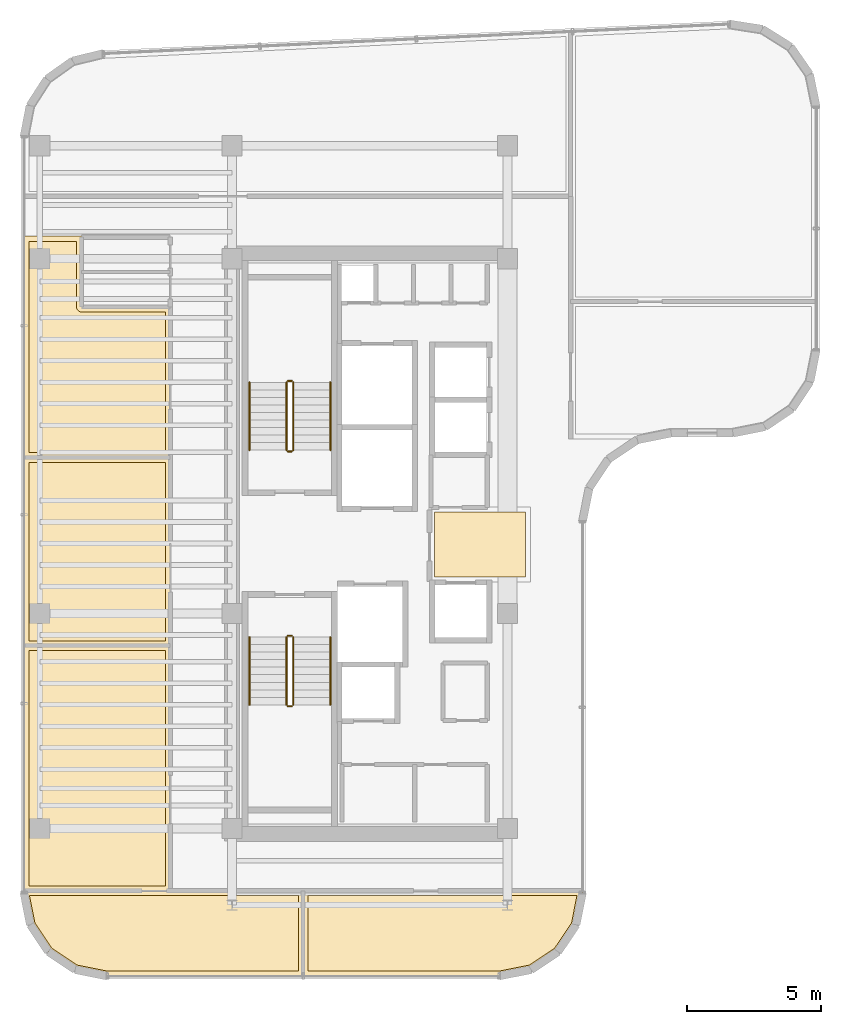
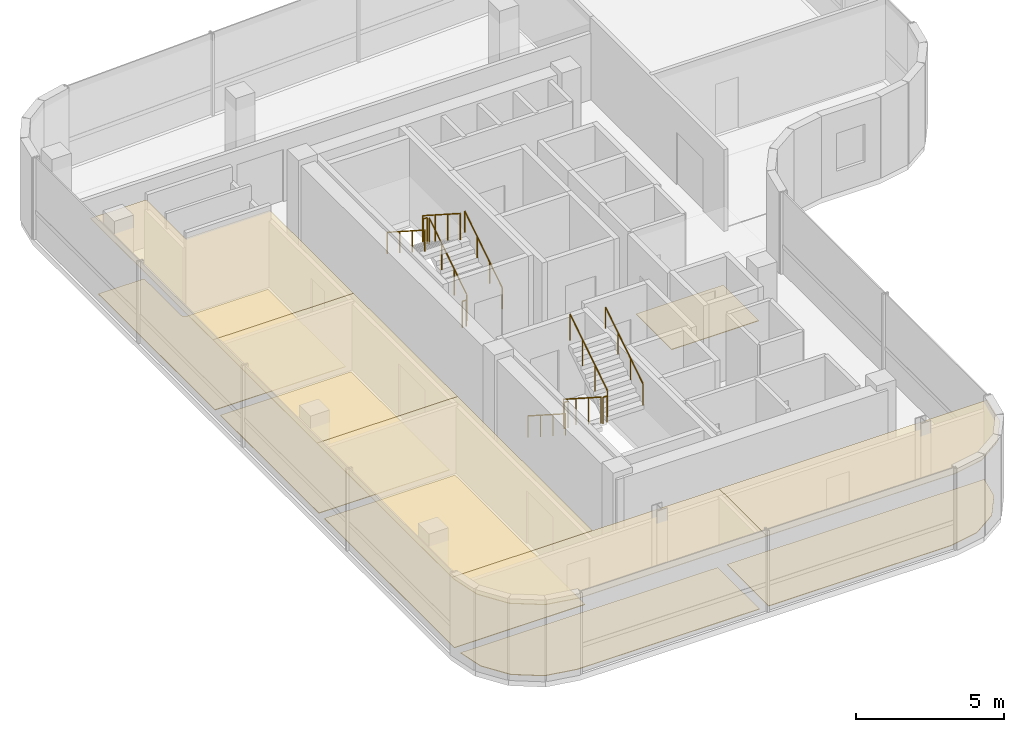
# One storey, part 16 of 17: 12 railings, 11 coverings.
"""IFC4 building model written with IfcOpenShell, lengths in metres."""

from ifc_helpers import new_model, si_unit, direction, frame, origin, origin_2d, place, context, subcontext, project, spatial, polyline, circle, outline, extrude, material, layer, layer_set, type_object, element, save


model = new_model("IFC4")

# Units and contexts
model_context = context("Model", 3, precision=1e-05, world=origin(), true_north=direction((0.0, 1.0)))
body_context = subcontext(model_context, "Body", "Model", "MODEL_VIEW")
ifc_project = project(units=[si_unit("LENGTHUNIT", "METRE"), si_unit("AREAUNIT", "SQUARE_METRE"), si_unit("VOLUMEUNIT", "CUBIC_METRE"), si_unit("PLANEANGLEUNIT", "RADIAN"), si_unit("MASSUNIT", "GRAM", prefix="KILO")], contexts=[model_context])

# Site, building, storey
site_placement = place(None, origin())
site = spatial("IfcSite", under=ifc_project, at=site_placement, CompositionType="ELEMENT")
building_placement = place(site_placement, origin())
building = spatial("IfcBuilding", under=site, at=building_placement, Name="Valdorenza Pilgrim Sanctuary Tower", CompositionType="ELEMENT")
storey_placement = place(building_placement, frame((0.0, 0.0, 287.0)))
storey = spatial("IfcBuildingStorey", under=building, at=storey_placement, Name="L75", CompositionType="ELEMENT", Elevation=287.0)

# Coverings
ifc_material_1 = material(Name="Micro-perforated acoustic mineral ceiling tile", Category="gypsum")
ifc_layer_1 = layer(ifc_material_1, 0.02490234375, Name="Micro-perforated acoustic mineral ceiling tile")
ifc_layer_set_1 = layer_set([ifc_layer_1], Name="Micro-perforated acoustic mineral ceiling tile")
covering_type_1 = type_object("IfcCoveringType", Name="COV-CLG-ACU", PredefinedType="CEILING", material=ifc_layer_set_1)
covering_1_placement = place(storey_placement, frame((0.0, 0.0, 3.06005859375)))
element("IfcCovering", 1, at=covering_1_placement, inside=storey, type_object=covering_type_1, Name="L75 Sacred Art Exhibition Gallery Acoustic Ceiling", PredefinedType="CEILING", context=body_context, shape_type="SweptSolid", body=[
    extrude(outline(polyline([(-24.93505859375, -12.919921875), (-24.93505859375, -12.92138671875), (-24.935302734375, -12.9228515625), (-24.935546875, -12.92431640625), (-24.93603515625, -12.92578125), (-24.936767578125, -12.927001953125), (-24.9375, -12.92822265625), (-24.9384765625, -12.929443359375), (-24.939453125, -12.9306640625), (-24.9404296875, -12.931640625), (-24.941650390625, -12.9326171875), (-24.94287109375, -12.93310546875), (-24.9443359375, -12.933837890625), (-24.945556640625, -12.934326171875), (-24.947021484375, -12.934814453125), (-24.948486328125, -12.934814453125), (-24.949951171875, -12.93505859375), (-30.389892578125, -12.93505859375), (-30.3916015625, -12.934814453125), (-30.392822265625, -12.934814453125), (-30.394287109375, -12.934326171875), (-30.395751953125, -12.933837890625), (-30.397216796875, -12.93310546875), (-30.398193359375, -12.9326171875), (-30.3994140625, -12.931640625), (-30.400634765625, -12.9306640625), (-30.401611328125, -12.929443359375), (-30.402587890625, -12.92822265625), (-30.4033203125, -12.927001953125), (-30.40380859375, -12.92578125), (-30.404296875, -12.92431640625), (-30.40478515625, -12.9228515625), (-30.40478515625, -12.92138671875), (-30.405029296875, -12.919921875), (-30.405029296875, -3.800048828125), (-30.40478515625, -3.798583984375), (-30.40478515625, -3.797119140625), (-30.404296875, -3.795654296875), (-30.40380859375, -3.794189453125), (-30.4033203125, -3.79296875), (-30.402587890625, -3.791748046875), (-30.401611328125, -3.79052734375), (-30.400634765625, -3.789306640625), (-30.3994140625, -3.788330078125), (-30.398193359375, -3.78759765625), (-30.397216796875, -3.786865234375), (-30.395751953125, -3.7861328125), (-30.394287109375, -3.78564453125), (-30.392822265625, -3.785400390625), (-30.3916015625, -3.78515625), (-30.389892578125, -3.784912109375), (-24.949951171875, -3.784912109375), (-24.948486328125, -3.78515625), (-24.947021484375, -3.785400390625), (-24.945556640625, -3.78564453125), (-24.9443359375, -3.7861328125), (-24.94287109375, -3.786865234375), (-24.941650390625, -3.78759765625), (-24.9404296875, -3.788330078125), (-24.939453125, -3.789306640625), (-24.9384765625, -3.79052734375), (-24.9375, -3.791748046875), (-24.936767578125, -3.79296875), (-24.93603515625, -3.794189453125), (-24.935546875, -3.795654296875), (-24.935302734375, -3.797119140625), (-24.93505859375, -3.798583984375), (-24.93505859375, -3.800048828125), (-24.93505859375, -12.919921875)])), origin(), (0.0, 0.0, 1.0), 0.02490234375),
])
covering_2_placement = place(storey_placement, frame((0.0, 0.0, 3.06005859375)))
element("IfcCovering", 2, at=covering_2_placement, inside=storey, type_object=covering_type_1, Name="L75 Sky Observation Dining Cafe Acoustic Ceiling", PredefinedType="CEILING", context=body_context, shape_type="SweptSolid", body=[
    extrude(outline(polyline([(-24.93505859375, -3.798095703125), (-24.93505859375, -3.799560546875), (-24.935302734375, -3.80078125), (-24.935546875, -3.802490234375), (-24.93603515625, -3.8037109375), (-24.936767578125, -3.80517578125), (-24.9375, -3.806396484375), (-24.9384765625, -3.8076171875), (-24.939453125, -3.80859375), (-24.9404296875, -3.8095703125), (-24.941650390625, -3.810546875), (-24.94287109375, -3.811279296875), (-24.9443359375, -3.81201171875), (-24.945556640625, -3.8125), (-24.947021484375, -3.812744140625), (-24.948486328125, -3.81298828125), (-24.949951171875, -3.81298828125), (-30.389892578125, -3.81298828125), (-30.3916015625, -3.81298828125), (-30.392822265625, -3.812744140625), (-30.394287109375, -3.8125), (-30.395751953125, -3.81201171875), (-30.397216796875, -3.811279296875), (-30.398193359375, -3.810546875), (-30.3994140625, -3.8095703125), (-30.400634765625, -3.80859375), (-30.401611328125, -3.8076171875), (-30.402587890625, -3.806396484375), (-30.4033203125, -3.80517578125), (-30.40380859375, -3.8037109375), (-30.404296875, -3.802490234375), (-30.40478515625, -3.80078125), (-30.40478515625, -3.799560546875), (-30.405029296875, -3.798095703125), (-30.405029296875, 3.199951171875), (-30.40478515625, 3.201416015625), (-30.40478515625, 3.202880859375), (-30.404296875, 3.204345703125), (-30.40380859375, 3.205810546875), (-30.4033203125, 3.20703125), (-30.402587890625, 3.208251953125), (-30.401611328125, 3.20947265625), (-30.400634765625, 3.210693359375), (-30.3994140625, 3.211669921875), (-30.398193359375, 3.21240234375), (-30.397216796875, 3.213134765625), (-30.395751953125, 3.2138671875), (-30.394287109375, 3.21435546875), (-30.392822265625, 3.214599609375), (-30.3916015625, 3.21484375), (-30.389892578125, 3.215087890625), (-24.949951171875, 3.215087890625), (-24.948486328125, 3.21484375), (-24.947021484375, 3.214599609375), (-24.945556640625, 3.21435546875), (-24.9443359375, 3.2138671875), (-24.94287109375, 3.213134765625), (-24.941650390625, 3.21240234375), (-24.9404296875, 3.211669921875), (-24.939453125, 3.210693359375), (-24.9384765625, 3.20947265625), (-24.9375, 3.208251953125), (-24.936767578125, 3.20703125), (-24.93603515625, 3.205810546875), (-24.935546875, 3.204345703125), (-24.935302734375, 3.202880859375), (-24.93505859375, 3.201416015625), (-24.93505859375, 3.199951171875), (-24.93505859375, -3.798095703125)])), origin(), (0.0, 0.0, 1.0), 0.02490234375),
])
covering_3_placement = place(storey_placement, frame((0.0, 0.0, 3.06005859375)))
element("IfcCovering", 3, at=covering_3_placement, inside=storey, type_object=covering_type_1, Name="L75 Curator Briefing Office Acoustic Ceiling", PredefinedType="CEILING", context=body_context, shape_type="SweptSolid", body=[
    extrude(outline(polyline([(-28.237060546875, 8.81298828125), (-24.949951171875, 8.81298828125), (-24.948486328125, 8.81298828125), (-24.947021484375, 8.812744140625), (-24.945556640625, 8.8125), (-24.9443359375, 8.81201171875), (-24.94287109375, 8.811279296875), (-24.941650390625, 8.810546875), (-24.9404296875, 8.8095703125), (-24.939453125, 8.80859375), (-24.9384765625, 8.8076171875), (-24.9375, 8.806396484375), (-24.936767578125, 8.80517578125), (-24.93603515625, 8.8037109375), (-24.935546875, 8.802490234375), (-24.935302734375, 8.80078125), (-24.93505859375, 8.799560546875), (-24.93505859375, 8.798095703125), (-24.93505859375, 3.201904296875), (-24.93505859375, 3.200439453125), (-24.935302734375, 3.19921875), (-24.935546875, 3.197509765625), (-24.93603515625, 3.1962890625), (-24.936767578125, 3.19482421875), (-24.9375, 3.193603515625), (-24.9384765625, 3.1923828125), (-24.939453125, 3.19140625), (-24.9404296875, 3.1904296875), (-24.941650390625, 3.189453125), (-24.94287109375, 3.188720703125), (-24.9443359375, 3.18798828125), (-24.945556640625, 3.1875), (-24.947021484375, 3.187255859375), (-24.948486328125, 3.18701171875), (-24.949951171875, 3.18701171875), (-30.389892578125, 3.18701171875), (-30.3916015625, 3.18701171875), (-30.392822265625, 3.187255859375), (-30.394287109375, 3.1875), (-30.395751953125, 3.18798828125), (-30.397216796875, 3.188720703125), (-30.398193359375, 3.189453125), (-30.3994140625, 3.1904296875), (-30.400634765625, 3.19140625), (-30.401611328125, 3.1923828125), (-30.402587890625, 3.193603515625), (-30.4033203125, 3.19482421875), (-30.40380859375, 3.1962890625), (-30.404296875, 3.197509765625), (-30.40478515625, 3.19921875), (-30.40478515625, 3.200439453125), (-30.405029296875, 3.201904296875), (-30.405029296875, 11.419921875), (-30.40478515625, 11.42138671875), (-30.40478515625, 11.4228515625), (-30.404296875, 11.42431640625), (-30.40380859375, 11.42578125), (-30.4033203125, 11.427001953125), (-30.402587890625, 11.42822265625), (-30.401611328125, 11.429443359375), (-30.400634765625, 11.4306640625), (-30.3994140625, 11.431640625), (-30.398193359375, 11.4326171875), (-30.397216796875, 11.43310546875), (-30.395751953125, 11.433837890625), (-30.394287109375, 11.434326171875), (-30.392822265625, 11.434814453125), (-30.3916015625, 11.434814453125), (-30.389892578125, 11.43505859375), (-28.25, 11.43505859375), (-28.24853515625, 11.434814453125), (-28.2470703125, 11.434814453125), (-28.24560546875, 11.434326171875), (-28.244384765625, 11.433837890625), (-28.242919921875, 11.43310546875), (-28.24169921875, 11.4326171875), (-28.240478515625, 11.431640625), (-28.239501953125, 11.4306640625), (-28.23828125, 11.429443359375), (-28.237548828125, 11.42822265625), (-28.23681640625, 11.427001953125), (-28.236083984375, 11.42578125), (-28.235595703125, 11.42431640625), (-28.2353515625, 11.4228515625), (-28.235107421875, 11.42138671875), (-28.235107421875, 11.419921875), (-28.235107421875, 11.402099609375), (-28.235107421875, 11.400390625), (-28.2353515625, 11.39892578125), (-28.235595703125, 11.3974609375), (-28.236083984375, 11.39599609375), (-28.23681640625, 11.394775390625), (-28.237060546875, 11.39453125), (-28.237060546875, 10.103759765625), (-28.23681640625, 10.10302734375), (-28.23681640625, 10.1015625), (-28.23681640625, 10.10009765625), (-28.23681640625, 10.098388671875), (-28.237060546875, 10.09814453125), (-28.237060546875, 8.81298828125)])), origin(), (0.0, 0.0, 1.0), 0.02490234375),
])
covering_4_placement = place(storey_placement, frame((0.0, 0.0, 3.06005859375)))
element("IfcCovering", 4, at=covering_4_placement, inside=storey, type_object=covering_type_1, Name="L75 South Panoramic Viewing Salon Acoustic Ceiling", PredefinedType="CEILING", context=body_context, shape_type="SweptSolid", body=[
    extrude(outline(polyline([(-24.955322265625, -12.906982421875), (-24.954833984375, -12.90673828125), (-24.95361328125, -12.906005859375), (-24.9521484375, -12.905517578125), (-24.95068359375, -12.9052734375), (-24.949462890625, -12.905029296875), (-24.947998046875, -12.905029296875), (-20.0, -12.905029296875), (-19.99853515625, -12.905029296875), (-19.9970703125, -12.9052734375), (-19.99560546875, -12.905517578125), (-19.994384765625, -12.906005859375), (-19.992919921875, -12.90673828125), (-19.99169921875, -12.907470703125), (-19.990478515625, -12.908447265625), (-19.989501953125, -12.909423828125), (-19.98828125, -12.910400390625), (-19.987548828125, -12.91162109375), (-19.98681640625, -12.912841796875), (-19.986083984375, -12.914306640625), (-19.985595703125, -12.91552734375), (-19.9853515625, -12.9169921875), (-19.985107421875, -12.91845703125), (-19.985107421875, -12.919921875), (-19.985107421875, -16.090087890625), (-19.985107421875, -16.091552734375), (-19.9853515625, -16.093017578125), (-19.985595703125, -16.094482421875), (-19.986083984375, -16.095703125), (-19.98681640625, -16.09716796875), (-19.987548828125, -16.098388671875), (-19.98828125, -16.099609375), (-19.989501953125, -16.1005859375), (-19.990478515625, -16.1015625), (-19.99169921875, -16.1025390625), (-19.992919921875, -16.103271484375), (-19.994384765625, -16.10400390625), (-19.99560546875, -16.1044921875), (-19.9970703125, -16.104736328125), (-19.99853515625, -16.10498046875), (-20.0, -16.10498046875), (-27.289306640625, -16.10498046875), (-27.29052734375, -16.10498046875), (-27.2919921875, -16.104736328125), (-28.484619140625, -15.867431640625), (-28.486083984375, -15.8671875), (-28.4873046875, -15.86669921875), (-28.48876953125, -15.865966796875), (-28.489990234375, -15.865234375), (-29.49169921875, -15.19580078125), (-29.492919921875, -15.195068359375), (-29.493896484375, -15.194091796875), (-29.4951171875, -15.19287109375), (-29.495849609375, -15.191650390625), (-30.165283203125, -14.18994140625), (-30.166015625, -14.188720703125), (-30.16650390625, -14.1875), (-30.1669921875, -14.18603515625), (-30.16748046875, -14.1845703125), (-30.40478515625, -12.9921875), (-30.40478515625, -12.990478515625), (-30.405029296875, -12.9892578125), (-30.405029296875, -12.922119140625), (-30.40478515625, -12.92041015625), (-30.40478515625, -12.919189453125), (-30.404296875, -12.91748046875), (-30.40380859375, -12.916259765625), (-30.4033203125, -12.914794921875), (-30.402587890625, -12.913818359375), (-30.401611328125, -12.91259765625), (-30.400634765625, -12.911376953125), (-30.3994140625, -12.910400390625), (-30.398193359375, -12.909423828125), (-30.397216796875, -12.90869140625), (-30.395751953125, -12.908203125), (-30.394287109375, -12.90771484375), (-30.392822265625, -12.9072265625), (-30.3916015625, -12.906982421875), (-30.389892578125, -12.906982421875), (-24.955322265625, -12.906982421875)])), origin(), (0.0, 0.0, 1.0), 0.02490234375),
])
covering_5_placement = place(storey_placement, frame((0.0, 0.0, 3.06005859375)))
element("IfcCovering", 5, at=covering_5_placement, inside=storey, type_object=covering_type_1, Name="L75 South Contemplation Lounge Acoustic Ceiling", PredefinedType="CEILING", context=body_context, shape_type="SweptSolid", body=[
    extrude(outline(polyline([(-9.610107421875, -12.905029296875), (-9.6083984375, -12.905029296875), (-9.607177734375, -12.9052734375), (-9.605712890625, -12.905517578125), (-9.604248046875, -12.906005859375), (-9.602783203125, -12.90673828125), (-9.601806640625, -12.907470703125), (-9.6005859375, -12.908447265625), (-9.599365234375, -12.909423828125), (-9.598388671875, -12.910400390625), (-9.597412109375, -12.91162109375), (-9.5966796875, -12.912841796875), (-9.59619140625, -12.914306640625), (-9.595703125, -12.91552734375), (-9.59521484375, -12.9169921875), (-9.59521484375, -12.91845703125), (-9.594970703125, -12.919921875), (-9.594970703125, -12.9892578125), (-9.59521484375, -12.990478515625), (-9.59521484375, -12.9921875), (-9.83251953125, -14.1845703125), (-9.8330078125, -14.18603515625), (-9.83349609375, -14.1875), (-9.833984375, -14.188720703125), (-9.834716796875, -14.18994140625), (-10.504150390625, -15.191650390625), (-10.5048828125, -15.19287109375), (-10.506103515625, -15.194091796875), (-10.507080078125, -15.195068359375), (-10.50830078125, -15.19580078125), (-11.510009765625, -15.865234375), (-11.51123046875, -15.865966796875), (-11.5126953125, -15.86669921875), (-11.513916015625, -15.8671875), (-11.515380859375, -15.867431640625), (-12.7080078125, -16.104736328125), (-12.70947265625, -16.10498046875), (-12.710693359375, -16.10498046875), (-19.998046875, -16.10498046875), (-19.99951171875, -16.10498046875), (-20.0009765625, -16.104736328125), (-20.00244140625, -16.1044921875), (-20.003662109375, -16.10400390625), (-20.005126953125, -16.103271484375), (-20.00634765625, -16.1025390625), (-20.007568359375, -16.1015625), (-20.008544921875, -16.1005859375), (-20.009521484375, -16.099609375), (-20.010498046875, -16.098388671875), (-20.01123046875, -16.09716796875), (-20.011962890625, -16.095703125), (-20.012451171875, -16.094482421875), (-20.0126953125, -16.093017578125), (-20.012939453125, -16.091552734375), (-20.012939453125, -16.090087890625), (-20.012939453125, -12.919921875), (-20.012939453125, -12.91845703125), (-20.0126953125, -12.9169921875), (-20.012451171875, -12.91552734375), (-20.011962890625, -12.914306640625), (-20.01123046875, -12.912841796875), (-20.010498046875, -12.91162109375), (-20.009521484375, -12.910400390625), (-20.008544921875, -12.909423828125), (-20.007568359375, -12.908447265625), (-20.00634765625, -12.907470703125), (-20.005126953125, -12.90673828125), (-20.003662109375, -12.906005859375), (-20.00244140625, -12.905517578125), (-20.0009765625, -12.9052734375), (-19.99951171875, -12.905029296875), (-19.998046875, -12.905029296875), (-9.610107421875, -12.905029296875)])), origin(), (0.0, 0.0, 1.0), 0.02490234375),
])
ifc_material_2 = material(Name="Honed travertine stone flooring", Category="masonry")
ifc_layer_2 = layer(ifc_material_2, 0.030029296875, Name="Honed travertine stone flooring")
ifc_layer_set_2 = layer_set([ifc_layer_2], Name="Honed travertine stone flooring")
covering_type_2 = type_object("IfcCoveringType", Name="COV-FLR-TRV", PredefinedType="FLOORING", material=ifc_layer_set_2)
covering_6_placement = place(storey_placement, origin())
element("IfcCovering", 6, at=covering_6_placement, inside=storey, type_object=covering_type_2, Name="L75 Core A Passenger Lift Lobby Flooring", PredefinedType="FLOORING", context=body_context, shape_type="SweptSolid", body=[
    extrude(outline(polyline([(-15.117919921875, 1.169921875), (-11.72998046875, 1.169921875), (-11.72998046875, -1.239990234375), (-15.117919921875, -1.239990234375), (-15.117919921875, 1.169921875)])), origin(), (0.0, 0.0, 1.0), 0.02490234375),
])
covering_7_placement = place(storey_placement, origin())
element("IfcCovering", 7, at=covering_7_placement, inside=storey, type_object=covering_type_2, Name="L75 Sacred Art Exhibition Gallery Flooring", PredefinedType="FLOORING", context=body_context, shape_type="SweptSolid", body=[
    extrude(outline(polyline([(-25.1298828125, -12.739990234375), (-30.2099609375, -12.739990234375), (-30.2099609375, -3.97998046875), (-25.1298828125, -3.97998046875), (-25.1298828125, -12.739990234375)])), origin(), (0.0, 0.0, 1.0), 0.02490234375),
])
covering_8_placement = place(storey_placement, origin())
element("IfcCovering", 8, at=covering_8_placement, inside=storey, type_object=covering_type_2, Name="L75 Sky Observation Dining Cafe Flooring", PredefinedType="FLOORING", context=body_context, shape_type="SweptSolid", body=[
    extrude(outline(polyline([(-25.1298828125, -3.617919921875), (-30.2099609375, -3.617919921875), (-30.2099609375, 3.02001953125), (-25.1298828125, 3.02001953125), (-25.1298828125, -3.617919921875)])), origin(), (0.0, 0.0, 1.0), 0.02490234375),
])
covering_9_placement = place(storey_placement, origin())
element("IfcCovering", 9, at=covering_9_placement, inside=storey, type_object=covering_type_2, Name="L75 Curator Briefing Office Flooring", PredefinedType="FLOORING", context=body_context, shape_type="SweptSolid", body=[
    extrude(outline(polyline([(-28.431884765625, 11.239990234375), (-28.431884765625, 10.10205078125), (-28.431884765625, 10.10107421875), (-28.431884765625, 10.100341796875), (-28.431884765625, 10.10009765625), (-28.431884765625, 8.800048828125), (-28.431884765625, 8.791259765625), (-28.431884765625, 8.791015625), (-28.429931640625, 8.7734375), (-28.429931640625, 8.773193359375), (-28.426513671875, 8.755859375), (-28.426513671875, 8.755615234375), (-28.42138671875, 8.73876953125), (-28.42138671875, 8.738525390625), (-28.41455078125, 8.722412109375), (-28.41455078125, 8.72216796875), (-28.40625, 8.70654296875), (-28.406005859375, 8.706298828125), (-28.396240234375, 8.691650390625), (-28.39599609375, 8.69140625), (-28.385009765625, 8.677978515625), (-28.384765625, 8.677734375), (-28.372314453125, 8.665283203125), (-28.3720703125, 8.6650390625), (-28.3583984375, 8.65380859375), (-28.3583984375, 8.65380859375), (-28.343505859375, 8.643798828125), (-28.343505859375, 8.643798828125), (-28.327880859375, 8.635498046875), (-28.32763671875, 8.635498046875), (-28.311279296875, 8.628662109375), (-28.311279296875, 8.628662109375), (-28.294189453125, 8.62353515625), (-28.294189453125, 8.623291015625), (-28.27685546875, 8.6201171875), (-28.276611328125, 8.6201171875), (-28.259033203125, 8.6181640625), (-28.2587890625, 8.6181640625), (-28.25, 8.617919921875), (-25.1298828125, 8.617919921875), (-25.1298828125, 3.382080078125), (-30.2099609375, 3.382080078125), (-30.2099609375, 11.239990234375), (-28.431884765625, 11.239990234375)])), origin(), (0.0, 0.0, 1.0), 0.02490234375),
])
covering_10_placement = place(storey_placement, origin())
element("IfcCovering", 10, at=covering_10_placement, inside=storey, type_object=covering_type_2, Name="L75 South Panoramic Viewing Salon Flooring", PredefinedType="FLOORING", context=body_context, shape_type="SweptSolid", body=[
    extrude(outline(polyline([(-30.18408203125, -13.10205078125), (-24.949951171875, -13.10205078125), (-20.179931640625, -13.10009765625), (-20.179931640625, -15.909912109375), (-27.271484375, -15.909912109375), (-28.411376953125, -15.68310546875), (-29.353515625, -15.0537109375), (-29.983154296875, -14.111328125), (-30.18408203125, -13.10205078125)])), origin(), (0.0, 0.0, 1.0), 0.02490234375),
])
covering_11_placement = place(storey_placement, origin())
element("IfcCovering", 11, at=covering_11_placement, inside=storey, type_object=covering_type_2, Name="L75 South Contemplation Lounge Flooring", PredefinedType="FLOORING", context=body_context, shape_type="SweptSolid", body=[
    extrude(outline(polyline([(-9.815673828125, -13.10009765625), (-10.016845703125, -14.111328125), (-10.646484375, -15.0537109375), (-11.588623046875, -15.68310546875), (-12.728515625, -15.909912109375), (-19.818115234375, -15.909912109375), (-19.818115234375, -13.10009765625), (-9.815673828125, -13.10009765625)])), origin(), (0.0, 0.0, 1.0), 0.02490234375),
])

# Railings
ifc_material_3 = material(Name="Stainless steel Grade 316", Category="steel")
railing_type_1 = type_object("IfcRailingType", Name="RLG-GRD-1120", PredefinedType="GUARDRAIL", material=ifc_material_3)
railing_1_placement = place(storey_placement, frame((-20.3701171875, 3.47998046875, 0.179931640625)))
element("IfcRailing", 12, at=railing_1_placement, inside=storey, type_object=railing_type_1, Name="L75 ST-A1 stair guard 1", PredefinedType="GUARDRAIL", context=body_context, shape_type="SweptSolid", body=[
    extrude(circle(Radius=0.02392578125, at=origin_2d()), frame((0.0, 0.0, 1.076171875), z_axis=(0.0, 0.841162588446, 0.540782303519), x_axis=(-1.0, 0.0, 0.0)), (0.0, 0.0, 1.0), 2.995849609375),
    extrude(circle(Radius=0.02099609375, at=origin_2d()), origin(), (0.0, 0.0, 1.0), 1.052001953125),
    extrude(circle(Radius=0.02099609375, at=origin_2d()), frame((0.0, 0.840087890625, 0.5400390625)), (0.0, 0.0, 1.0), 1.052001953125),
    extrude(circle(Radius=0.02099609375, at=origin_2d()), frame((0.0, 1.679931640625, 1.080078125)), (0.0, 0.0, 1.0), 1.052001953125),
    extrude(circle(Radius=0.02099609375, at=origin_2d()), frame((0.0, 2.52001953125, 1.6201171875)), (0.0, 0.0, 1.0), 1.052001953125),
])
railing_2_placement = place(storey_placement, frame((-20.419921875, 6.050048828125, 1.800048828125)))
element("IfcRailing", 13, at=railing_2_placement, inside=storey, type_object=railing_type_1, Name="L75 ST-A1 stair guard 2", PredefinedType="GUARDRAIL", context=body_context, shape_type="SweptSolid", body=[
    extrude(circle(Radius=0.02392578125, at=origin_2d()), frame((0.0, 0.0, 1.076171875), z_axis=(-1.0, 0.0, 0.0), x_axis=(0.0, -1.0, 0.0)), (0.0, 0.0, 1.0), 0.150146484375),
    extrude(circle(Radius=0.02099609375, at=origin_2d()), origin(), (0.0, 0.0, 1.0), 1.052001953125),
    extrude(circle(Radius=0.02099609375, at=origin_2d()), frame((-0.150146484375, 0.0, 0.0)), (0.0, 0.0, 1.0), 1.052001953125),
])
railing_3_placement = place(storey_placement, frame((-20.6201171875, 6.0, 1.97998046875)))
element("IfcRailing", 14, at=railing_3_placement, inside=storey, type_object=railing_type_1, Name="L75 ST-A1 stair guard 3", PredefinedType="GUARDRAIL", context=body_context, shape_type="SweptSolid", body=[
    extrude(circle(Radius=0.02392578125, at=origin_2d()), frame((0.0, 0.0, 1.076171875), z_axis=(0.0, -0.841162588446, 0.540782303519), x_axis=(1.0, 0.0, 0.0)), (0.0, 0.0, 1.0), 2.995849609375),
    extrude(circle(Radius=0.02099609375, at=origin_2d()), origin(), (0.0, 0.0, 1.0), 1.052001953125),
    extrude(circle(Radius=0.02099609375, at=origin_2d()), frame((0.0, -0.840087890625, 0.5400390625)), (0.0, 0.0, 1.0), 1.052001953125),
    extrude(circle(Radius=0.02099609375, at=origin_2d()), frame((0.0, -1.679931640625, 1.080078125)), (0.0, 0.0, 1.0), 1.052001953125),
    extrude(circle(Radius=0.02099609375, at=origin_2d()), frame((0.0, -2.52001953125, 1.6201171875)), (0.0, 0.0, 1.0), 1.052001953125),
])
railing_4_placement = place(storey_placement, frame((-20.419921875, 3.429931640625, 0.0)))
element("IfcRailing", 15, at=railing_4_placement, inside=storey, type_object=railing_type_1, Name="L75 ST-A1 stair guard 4", PredefinedType="GUARDRAIL", context=body_context, shape_type="SweptSolid", body=[
    extrude(circle(Radius=0.02392578125, at=origin_2d()), frame((0.0, 0.0, 1.076171875), z_axis=(-1.0, 0.0, 0.0), x_axis=(0.0, -1.0, 0.0)), (0.0, 0.0, 1.0), 0.150146484375),
    extrude(circle(Radius=0.02099609375, at=origin_2d()), origin(), (0.0, 0.0, 1.0), 1.052001953125),
    extrude(circle(Radius=0.02099609375, at=origin_2d()), frame((-0.150146484375, 0.0, 0.0)), (0.0, 0.0, 1.0), 1.052001953125),
])
railing_5_placement = place(storey_placement, frame((-20.6201171875, -3.47998046875, 0.179931640625)))
element("IfcRailing", 16, at=railing_5_placement, inside=storey, type_object=railing_type_1, Name="L75 ST-A2 stair guard 1", PredefinedType="GUARDRAIL", context=body_context, shape_type="SweptSolid", body=[
    extrude(circle(Radius=0.02392578125, at=origin_2d()), frame((0.0, 0.0, 1.076171875), z_axis=(0.0, -0.841162588446, 0.540782303519), x_axis=(1.0, 0.0, 0.0)), (0.0, 0.0, 1.0), 2.995849609375),
    extrude(circle(Radius=0.02099609375, at=origin_2d()), origin(), (0.0, 0.0, 1.0), 1.052001953125),
    extrude(circle(Radius=0.02099609375, at=origin_2d()), frame((0.0, -0.840087890625, 0.5400390625)), (0.0, 0.0, 1.0), 1.052001953125),
    extrude(circle(Radius=0.02099609375, at=origin_2d()), frame((0.0, -1.679931640625, 1.080078125)), (0.0, 0.0, 1.0), 1.052001953125),
    extrude(circle(Radius=0.02099609375, at=origin_2d()), frame((0.0, -2.52001953125, 1.6201171875)), (0.0, 0.0, 1.0), 1.052001953125),
])
railing_6_placement = place(storey_placement, frame((-20.570068359375, -6.050048828125, 1.800048828125)))
element("IfcRailing", 17, at=railing_6_placement, inside=storey, type_object=railing_type_1, Name="L75 ST-A2 stair guard 2", PredefinedType="GUARDRAIL", context=body_context, shape_type="SweptSolid", body=[
    extrude(circle(Radius=0.02392578125, at=origin_2d()), frame((0.0, 0.0, 1.076171875), z_axis=(1.0, 0.0, 0.0), x_axis=(0.0, 1.0, 0.0)), (0.0, 0.0, 1.0), 0.150146484375),
    extrude(circle(Radius=0.02099609375, at=origin_2d()), origin(), (0.0, 0.0, 1.0), 1.052001953125),
    extrude(circle(Radius=0.02099609375, at=origin_2d()), frame((0.150146484375, 0.0, 0.0)), (0.0, 0.0, 1.0), 1.052001953125),
])
railing_7_placement = place(storey_placement, frame((-20.3701171875, -6.0, 1.97998046875)))
element("IfcRailing", 18, at=railing_7_placement, inside=storey, type_object=railing_type_1, Name="L75 ST-A2 stair guard 3", PredefinedType="GUARDRAIL", context=body_context, shape_type="SweptSolid", body=[
    extrude(circle(Radius=0.02392578125, at=origin_2d()), frame((0.0, 0.0, 1.076171875), z_axis=(0.0, 0.841162588446, 0.540782303519), x_axis=(-1.0, 0.0, 0.0)), (0.0, 0.0, 1.0), 2.995849609375),
    extrude(circle(Radius=0.02099609375, at=origin_2d()), origin(), (0.0, 0.0, 1.0), 1.052001953125),
    extrude(circle(Radius=0.02099609375, at=origin_2d()), frame((0.0, 0.840087890625, 0.5400390625)), (0.0, 0.0, 1.0), 1.052001953125),
    extrude(circle(Radius=0.02099609375, at=origin_2d()), frame((0.0, 1.679931640625, 1.080078125)), (0.0, 0.0, 1.0), 1.052001953125),
    extrude(circle(Radius=0.02099609375, at=origin_2d()), frame((0.0, 2.52001953125, 1.6201171875)), (0.0, 0.0, 1.0), 1.052001953125),
])
railing_8_placement = place(storey_placement, frame((-20.570068359375, -3.429931640625, 0.0)))
element("IfcRailing", 19, at=railing_8_placement, inside=storey, type_object=railing_type_1, Name="L75 ST-A2 stair guard 4", PredefinedType="GUARDRAIL", context=body_context, shape_type="SweptSolid", body=[
    extrude(circle(Radius=0.02392578125, at=origin_2d()), frame((0.0, 0.0, 1.076171875), z_axis=(1.0, 0.0, 0.0), x_axis=(0.0, 1.0, 0.0)), (0.0, 0.0, 1.0), 0.150146484375),
    extrude(circle(Radius=0.02099609375, at=origin_2d()), origin(), (0.0, 0.0, 1.0), 1.052001953125),
    extrude(circle(Radius=0.02099609375, at=origin_2d()), frame((0.150146484375, 0.0, 0.0)), (0.0, 0.0, 1.0), 1.052001953125),
])
ifc_material_4 = material(Name="Brushed stainless steel Grade 316", Category="steel")
railing_type_2 = type_object("IfcRailingType", Name="RLG-HND-920", PredefinedType="HANDRAIL", material=ifc_material_4)
railing_9_placement = place(storey_placement, frame((-18.989990234375, 3.47998046875, 0.179931640625)))
element("IfcRailing", 20, at=railing_9_placement, inside=storey, type_object=railing_type_2, Name="L75 ST-A1 stair handrail 1", PredefinedType="HANDRAIL", context=body_context, shape_type="SweptSolid", body=[
    extrude(circle(Radius=0.02392578125, at=origin_2d()), frame((0.0, 0.0, 0.8759765625), z_axis=(0.0, 0.841162588446, 0.540782303519), x_axis=(-1.0, 0.0, 0.0)), (0.0, 0.0, 1.0), 2.995849609375),
    extrude(circle(Radius=0.02099609375, at=origin_2d()), origin(), (0.0, 0.0, 1.0), 0.851806640625),
    extrude(circle(Radius=0.02099609375, at=origin_2d()), frame((0.0, 0.840087890625, 0.5400390625)), (0.0, 0.0, 1.0), 0.851806640625),
    extrude(circle(Radius=0.02099609375, at=origin_2d()), frame((0.0, 1.679931640625, 1.080078125)), (0.0, 0.0, 1.0), 0.851806640625),
    extrude(circle(Radius=0.02099609375, at=origin_2d()), frame((0.0, 2.52001953125, 1.6201171875)), (0.0, 0.0, 1.0), 0.851806640625),
])
for number, where, name in (
    (21, (-22.0, 6.0, 1.97998046875), "L75 ST-A1 stair handrail 2"),
    (22, (-22.0, -3.47998046875, 0.179931640625), "L75 ST-A2 stair handrail 1"),
):
    element("IfcRailing", number, at=place(storey_placement, frame(where)), inside=storey, type_object=railing_type_2, Name=name, PredefinedType="HANDRAIL", context=body_context, shape_type="SweptSolid", body=[
        extrude(circle(Radius=0.02392578125, at=origin_2d()), frame((0.0, 0.0, 0.8759765625), z_axis=(0.0, -0.841162588446, 0.540782303519), x_axis=(1.0, 0.0, 0.0)), (0.0, 0.0, 1.0), 2.995849609375),
        extrude(circle(Radius=0.02099609375, at=origin_2d()), origin(), (0.0, 0.0, 1.0), 0.851806640625),
        extrude(circle(Radius=0.02099609375, at=origin_2d()), frame((0.0, -0.840087890625, 0.5400390625)), (0.0, 0.0, 1.0), 0.851806640625),
        extrude(circle(Radius=0.02099609375, at=origin_2d()), frame((0.0, -1.679931640625, 1.080078125)), (0.0, 0.0, 1.0), 0.851806640625),
        extrude(circle(Radius=0.02099609375, at=origin_2d()), frame((0.0, -2.52001953125, 1.6201171875)), (0.0, 0.0, 1.0), 0.851806640625),
    ])
railing_10_placement = place(storey_placement, frame((-18.989990234375, -6.0, 1.97998046875)))
element("IfcRailing", 23, at=railing_10_placement, inside=storey, type_object=railing_type_2, Name="L75 ST-A2 stair handrail 2", PredefinedType="HANDRAIL", context=body_context, shape_type="SweptSolid", body=[
    extrude(circle(Radius=0.02392578125, at=origin_2d()), frame((0.0, 0.0, 0.8759765625), z_axis=(0.0, 0.841162588446, 0.540782303519), x_axis=(-1.0, 0.0, 0.0)), (0.0, 0.0, 1.0), 2.995849609375),
    extrude(circle(Radius=0.02099609375, at=origin_2d()), origin(), (0.0, 0.0, 1.0), 0.851806640625),
    extrude(circle(Radius=0.02099609375, at=origin_2d()), frame((0.0, 0.840087890625, 0.5400390625)), (0.0, 0.0, 1.0), 0.851806640625),
    extrude(circle(Radius=0.02099609375, at=origin_2d()), frame((0.0, 1.679931640625, 1.080078125)), (0.0, 0.0, 1.0), 0.851806640625),
    extrude(circle(Radius=0.02099609375, at=origin_2d()), frame((0.0, 2.52001953125, 1.6201171875)), (0.0, 0.0, 1.0), 0.851806640625),
])

save(model, "model.ifc")
